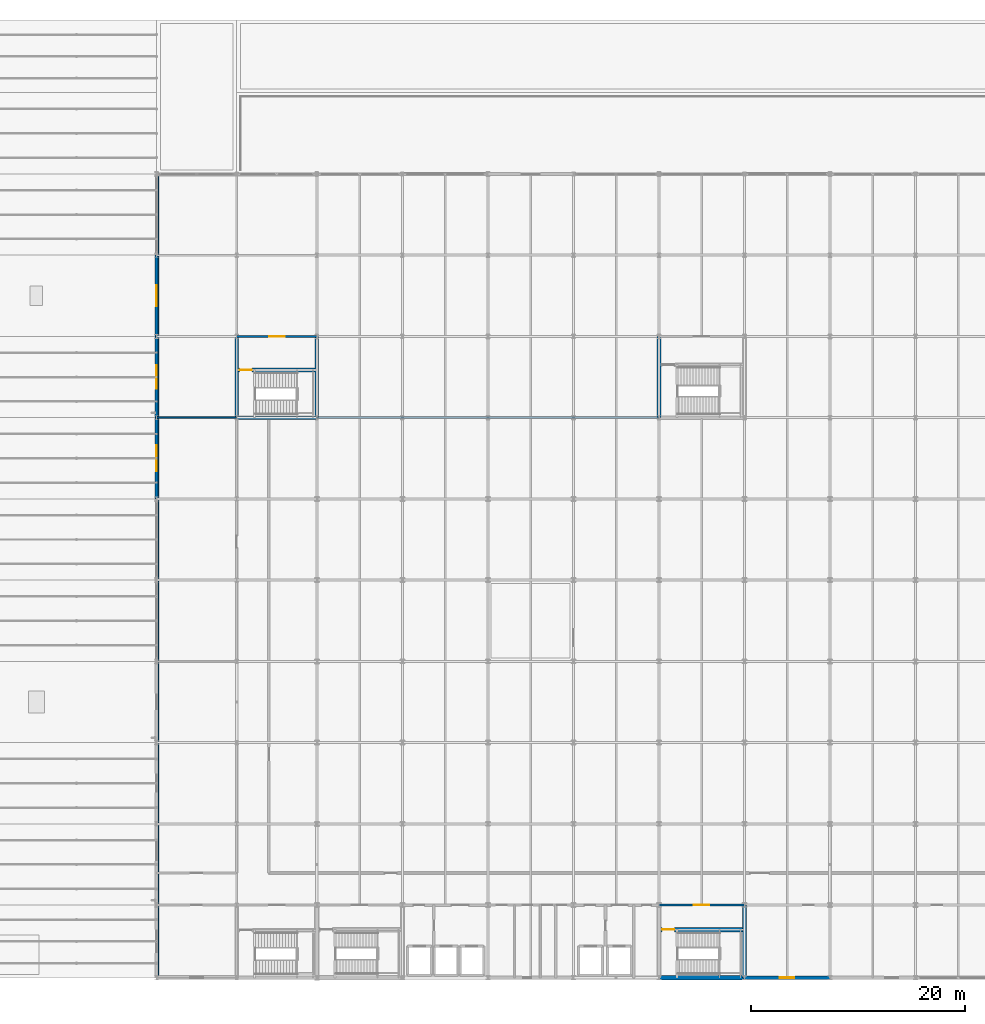
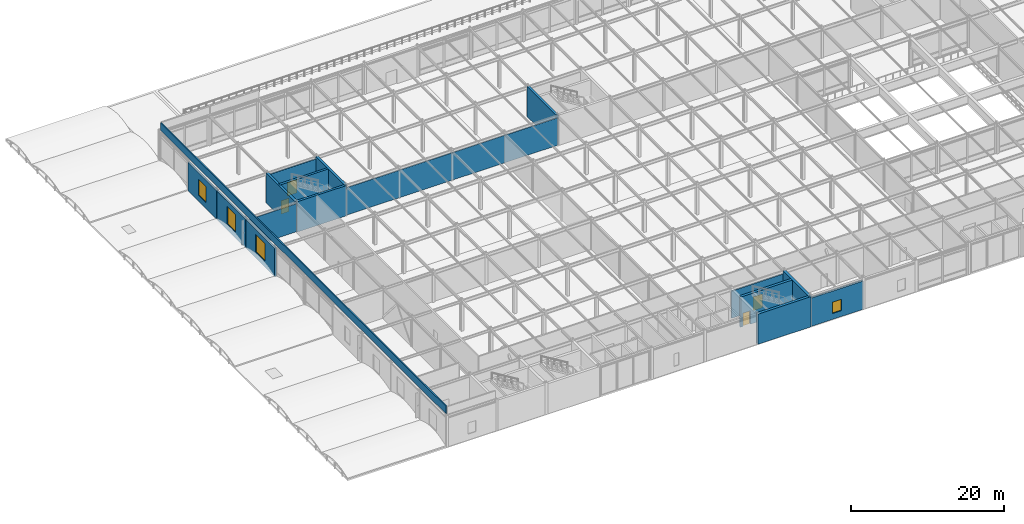
# One storey, part 59 of 79: 17 walls, 4 doors, 4 windows, 8 openings.
"""IFC4 building model written with IfcOpenShell, lengths in metres."""

from ifc_helpers import new_model, si_unit, direction, frame, frame_2d, origin, place, context, subcontext, project, spatial, rectangle, extrude, material, layer, layer_set, type_object, element, fill, save


model = new_model("IFC4")

# Units and contexts
model_context = context("Model", 3, precision=1e-05, world=origin(), true_north=direction((0.0, 1.0)))
body_context = subcontext(model_context, "Body", "Model", "MODEL_VIEW")
ifc_project = project(units=[si_unit("LENGTHUNIT", "METRE"), si_unit("AREAUNIT", "SQUARE_METRE"), si_unit("VOLUMEUNIT", "CUBIC_METRE"), si_unit("PLANEANGLEUNIT", "RADIAN"), si_unit("MASSUNIT", "GRAM", prefix="KILO")], contexts=[model_context])

# Site, building, storey
site_placement = place(None, origin())
site = spatial("IfcSite", under=ifc_project, at=site_placement, CompositionType="ELEMENT")
building_placement = place(site_placement, origin())
building = spatial("IfcBuilding", under=site, at=building_placement, Name="Shalkamar Park Central Library", CompositionType="ELEMENT")
storey_placement = place(building_placement, frame((0.0, 0.0, 10.5)))
storey = spatial("IfcBuildingStorey", under=building, at=storey_placement, Name="L03", CompositionType="ELEMENT", Elevation=10.5)

# Walls
ifc_material_1 = material(Name="Acoustic insulated reading partition", Category="masonry")
ifc_layer_1 = layer(ifc_material_1, 0.139892578125)
ifc_layer_set_1 = layer_set([ifc_layer_1], Name="AcousticPartition_140")
wall_type_1 = type_object("IfcWallType", Name="Acoustic Partition 140", PredefinedType="PARTITIONING", material=ifc_layer_set_1)
wall_1_placement = place(storey_placement, frame((150.0, 300.800048828125, 0.0), z_axis=(0.0, 0.0, 1.0), x_axis=(1.0, 0.0, 0.0)))
element("IfcWall", 1, at=wall_1_placement, inside=storey, type_object=wall_type_1, Name="Interior Partition WL-INT-L03-027-S1", PredefinedType="PARTITIONING", context=body_context, shape_type="SweptSolid", body=[
    extrude(rectangle(XDim=7.5, YDim=0.139892578125, at=frame_2d((3.75, 0.0))), origin(), (0.0, 0.0, 1.0), 4.47802734375),
])
wall_2_placement = place(storey_placement, frame((165.0, 300.800048828125, 0.0), z_axis=(0.0, 0.0, 1.0), x_axis=(1.0, 0.0, 0.0)))
element("IfcWall", 2, at=wall_2_placement, inside=storey, type_object=wall_type_1, Name="Interior Partition WL-INT-L03-027-S2", PredefinedType="PARTITIONING", context=body_context, shape_type="SweptSolid", body=[
    extrude(rectangle(XDim=32.0, YDim=0.139892578125, at=frame_2d((16.0, 0.0))), origin(), (0.0, 0.0, 1.0), 4.387939453125),
])

# Wall, opening, door
ifc_material_2 = material(Name="Fire-rated corridor partition wall", Category="masonry")
ifc_layer_2 = layer(ifc_material_2, 0.199951171875)
ifc_layer_set_2 = layer_set([ifc_layer_2], Name="CorridorFireWall_200")
wall_type_2 = type_object("IfcWallType", Name="Corridor Fire Wall 200", PredefinedType="PARTITIONING", material=ifc_layer_set_2)
wall_3_placement = place(storey_placement, frame((197.0, 255.199951171875, 0.0), z_axis=(0.0, 0.0, 1.0), x_axis=(1.0, 0.0, 0.0)))
wall_3 = element("IfcWall", 3, at=wall_3_placement, inside=storey, type_object=wall_type_2, Name="CORE-T2 Vestibule North Wall (L03)", PredefinedType="PARTITIONING", context=body_context, shape_type="SweptSolid", body=[
    extrude(rectangle(XDim=8.0, YDim=0.199951171875, at=frame_2d((4.0, 0.0))), origin(), (0.0, 0.0, 1.0), 4.337890625),
])
opening_1_placement = place(wall_3_placement, frame((3.27490234375, 0.0, 0.0)))
opening_1 = element("IfcOpeningElement", 4, at=opening_1_placement, cuts=wall_3, Name="Opening DR-ST-T2-L03-VEST", PredefinedType="OPENING", context=body_context, shape_type="SweptSolid", body=[
    extrude(rectangle(XDim=1.449951171875, YDim=2.199951171875, at=frame_2d((0.72509765625, 1.10009765625))), frame((0.0, 0.11474609375, 0.0), z_axis=(0.0, -1.0, 0.0), x_axis=(1.0, 0.0, 0.0)), (0.0, 0.0, 1.0), 0.229736328125),
])
ifc_material_3 = material(Name="Steel S355", Category="steel")
door_type_1 = type_object("IfcDoorType", Name="Stair Vestibule Door 1450x2200", OperationType="DOUBLE_DOOR_SINGLE_SWING", PredefinedType="DOOR", material=ifc_material_3)
door_1_placement = place(opening_1_placement, frame((1.449951171875, 0.0, 0.0), z_axis=(0.0, 0.0, 1.0), x_axis=(-1.0, 0.0, 0.0)))
door_1 = element("IfcDoor", 5, at=door_1_placement, inside=storey, type_object=door_type_1, Name="Protected Stair ST-T2 Vestibule Door (L03)", OperationType="DOUBLE_DOOR_SINGLE_SWING", OverallHeight=2.199951171875, OverallWidth=1.449951171875, PredefinedType="DOOR", context=body_context, shape_type="SweptSolid", body=[
    extrude(rectangle(XDim=1.449951171875, YDim=2.199951171875, at=frame_2d((0.72509765625, 1.10009765625))), frame((0.0, 0.02490234375, 0.0), z_axis=(0.0, -1.0, 0.0), x_axis=(1.0, 0.0, 0.0)), (0.0, 0.0, 1.0), 0.050048828125),
])
fill(opening_1, door_1)

wall_4_placement = place(storey_placement, frame((157.5, 308.39990234375, 0.0), z_axis=(0.0, 0.0, 1.0), x_axis=(1.0, 0.0, 0.0)))
wall_4 = element("IfcWall", 6, at=wall_4_placement, inside=storey, type_object=wall_type_2, Name="CORE-P2 Vestibule North Wall (L03)", PredefinedType="PARTITIONING", context=body_context, shape_type="SweptSolid", body=[
    extrude(rectangle(XDim=7.5, YDim=0.199951171875, at=frame_2d((3.75, 0.0))), origin(), (0.0, 0.0, 1.0), 4.47802734375),
])
opening_2_placement = place(wall_4_placement, frame((3.02490234375, 0.0, 0.0)))
opening_2 = element("IfcOpeningElement", 7, at=opening_2_placement, cuts=wall_4, Name="Opening DR-ST-P2-L03-VEST", PredefinedType="OPENING", context=body_context, shape_type="SweptSolid", body=[
    extrude(rectangle(XDim=1.449951171875, YDim=2.199951171875, at=frame_2d((0.72509765625, 1.10009765625))), frame((0.0, 0.11474609375, 0.0), z_axis=(0.0, -1.0, 0.0), x_axis=(1.0, 0.0, 0.0)), (0.0, 0.0, 1.0), 0.229736328125),
])
door_2_placement = place(opening_2_placement, frame((1.449951171875, 0.0, 0.0), z_axis=(0.0, 0.0, 1.0), x_axis=(-1.0, 0.0, 0.0)))
door_2 = element("IfcDoor", 8, at=door_2_placement, inside=storey, type_object=door_type_1, Name="Protected Stair ST-P2 Vestibule Door (L03)", OperationType="DOUBLE_DOOR_SINGLE_SWING", OverallHeight=2.199951171875, OverallWidth=1.449951171875, PredefinedType="DOOR", context=body_context, shape_type="SweptSolid", body=[
    extrude(rectangle(XDim=1.449951171875, YDim=2.199951171875, at=frame_2d((0.72509765625, 1.10009765625))), frame((0.0, 0.02490234375, 0.0), z_axis=(0.0, -1.0, 0.0), x_axis=(1.0, 0.0, 0.0)), (0.0, 0.0, 1.0), 0.050048828125),
])
fill(opening_2, door_2)

# Walls
ifc_material_4 = material(Name="Concrete C40/50", Category="concrete")
ifc_layer_3 = layer(ifc_material_4, 0.35009765625)
ifc_layer_set_3 = layer_set([ifc_layer_3], Name="Concrete C40/50")
wall_type_3 = type_object("IfcWallType", Name="Podium Core Shear Wall 350", PredefinedType="SHEAR", material=ifc_layer_set_3)
wall_5_placement = place(storey_placement, frame((157.5, 300.800048828125, 0.0), z_axis=(0.0, 0.0, 1.0), x_axis=(1.0, 0.0, 0.0)))
element("IfcWall", 9, at=wall_5_placement, inside=storey, type_object=wall_type_3, Name="CORE-P2 South Shear Wall (L03)", PredefinedType="SHEAR", context=body_context, shape_type="SweptSolid", body=[
    extrude(rectangle(XDim=7.5, YDim=0.35009765625, at=frame_2d((3.75, 0.0))), origin(), (0.0, 0.0, 1.0), 4.840087890625),
])
for number, where, z_axis, x_axis, name in (
    (10, (157.5, 300.800048828125, 0.0), (0.0, 0.0, 1.0), (0.0, 1.0, 0.0), "CORE-P2 West Shear Wall (L03)"),
    (11, (165.0, 300.800048828125, 0.0), (0.0, 0.0, 1.0), (0.0, 1.0, 0.0), "CORE-P2 East Shear Wall (L03)"),
):
    element("IfcWall", number, at=place(storey_placement, frame(where, z_axis=z_axis, x_axis=x_axis)), inside=storey, type_object=wall_type_3, Name=name, PredefinedType="SHEAR", context=body_context, shape_type="SweptSolid", body=[
        extrude(rectangle(XDim=7.599853515625, YDim=0.35009765625, at=frame_2d((3.7998046875, 0.0))), origin(), (0.0, 0.0, 1.0), 4.840087890625),
    ])

# Wall, opening, door
wall_6_placement = place(storey_placement, frame((157.5, 305.25, 0.0), z_axis=(0.0, 0.0, 1.0), x_axis=(1.0, 0.0, 0.0)))
wall_6 = element("IfcWall", 12, at=wall_6_placement, inside=storey, type_object=wall_type_3, Name="CORE-P2 Stairwell Wall (L03)", PredefinedType="SHEAR", context=body_context, shape_type="SweptSolid", body=[
    extrude(rectangle(XDim=7.5, YDim=0.35009765625, at=frame_2d((3.75, 0.0))), origin(), (0.0, 0.0, 1.0), 4.840087890625),
])
opening_3_placement = place(wall_6_placement, frame((0.27490234375, 0.0, 0.0)))
opening_3 = element("IfcOpeningElement", 13, at=opening_3_placement, cuts=wall_6, Name="Opening DR-ST-P2-L03-IN", PredefinedType="OPENING", context=body_context, shape_type="SweptSolid", body=[
    extrude(rectangle(XDim=1.14990234375, YDim=2.14990234375, at=frame_2d((0.574951171875, 1.074951171875))), frame((0.0, 0.18994140625, 0.0), z_axis=(0.0, -1.0, 0.0), x_axis=(1.0, 0.0, 0.0)), (0.0, 0.0, 1.0), 0.3798828125),
])
door_type_2 = type_object("IfcDoorType", Name="Stair Core Exit Door 1150x2150", OperationType="NOTDEFINED", PredefinedType="DOOR", material=ifc_material_3)
door_3_placement = place(opening_3_placement, frame((1.14990234375, 0.0, 0.0), z_axis=(0.0, 0.0, 1.0), x_axis=(-1.0, 0.0, 0.0)))
door_3 = element("IfcDoor", 14, at=door_3_placement, inside=storey, type_object=door_type_2, Name="Protected Stair ST-P2 Exit Door (L03)", OperationType="SINGLE_SWING_RIGHT", OverallHeight=2.14990234375, OverallWidth=1.14990234375, PredefinedType="DOOR", context=body_context, shape_type="SweptSolid", body=[
    extrude(rectangle(XDim=1.14990234375, YDim=2.14990234375, at=frame_2d((0.574951171875, 1.074951171875))), frame((0.0, 0.02490234375, 0.0), z_axis=(0.0, -1.0, 0.0), x_axis=(1.0, 0.0, 0.0)), (0.0, 0.0, 1.0), 0.050048828125),
])
fill(opening_3, door_3)

# Walls
wall_7_placement = place(storey_placement, frame((197.0, 300.800048828125, 0.0), z_axis=(0.0, 0.0, 1.0), x_axis=(0.0, 1.0, 0.0)))
element("IfcWall", 15, at=wall_7_placement, inside=storey, type_object=wall_type_3, Name="CORE-P7 West Shear Wall (L03)", PredefinedType="SHEAR", context=body_context, shape_type="SweptSolid", body=[
    extrude(rectangle(XDim=7.599853515625, YDim=0.35009765625, at=frame_2d((3.7998046875, 0.0))), origin(), (0.0, 0.0, 1.0), 4.840087890625),
])
ifc_material_5 = material(Name="Concrete C35/45 precast", Category="concrete")
ifc_layer_4 = layer(ifc_material_5, 0.179931640625)
ifc_layer_set_4 = layer_set([ifc_layer_4], Name="Concrete C35/45 precast")
wall_type_4 = type_object("IfcWallType", Name="Roof Parapet Wall 180", PredefinedType="PARAPET", material=ifc_layer_set_4)
wall_8_placement = place(storey_placement, frame((150.10009765625, 248.60009765625, 5.10009765625), z_axis=(0.0, 0.0, 1.0), x_axis=(0.0, 1.0, 0.0)))
element("IfcWall", 16, at=wall_8_placement, inside=storey, type_object=wall_type_4, Name="Roof Parapet Wall L03-20", PredefinedType="PARAPET", context=body_context, shape_type="SweptSolid", body=[
    extrude(rectangle(XDim=74.7998046875, YDim=0.179931640625, at=frame_2d((37.39990234375, 0.0))), origin(), (0.0, 0.0, 1.0), 1.199951171875),
])
ifc_layer_5 = layer(ifc_material_4, 0.39990234375)
ifc_layer_set_5 = layer_set([ifc_layer_5], Name="Concrete C40/50")
wall_type_5 = type_object("IfcWallType", Name="Tower Core Shear Wall 400", PredefinedType="SHEAR", material=ifc_layer_set_5)
wall_9_placement = place(storey_placement, frame((197.0, 248.39990234375, 0.0), z_axis=(0.0, 0.0, 1.0), x_axis=(1.0, 0.0, 0.0)))
element("IfcWall", 17, at=wall_9_placement, inside=storey, type_object=wall_type_5, Name="CORE-T2 South Shear Wall (L03)", PredefinedType="SHEAR", context=body_context, shape_type="SweptSolid", body=[
    extrude(rectangle(XDim=8.0, YDim=0.39990234375, at=frame_2d((4.0, 0.0))), origin(), (0.0, 0.0, 1.0), 4.840087890625),
])
wall_10_placement = place(storey_placement, frame((205.0, 248.39990234375, 0.0), z_axis=(0.0, 0.0, 1.0), x_axis=(0.0, 1.0, 0.0)))
element("IfcWall", 18, at=wall_10_placement, inside=storey, type_object=wall_type_5, Name="CORE-T2 East Shear Wall (L03)", PredefinedType="SHEAR", context=body_context, shape_type="SweptSolid", body=[
    extrude(rectangle(XDim=6.800048828125, YDim=0.39990234375, at=frame_2d((3.39990234375, 0.0))), origin(), (0.0, 0.0, 1.0), 4.840087890625),
])

# Wall, opening, door
wall_11_placement = place(storey_placement, frame((197.0, 252.89990234375, 0.0), z_axis=(0.0, 0.0, 1.0), x_axis=(1.0, 0.0, 0.0)))
wall_11 = element("IfcWall", 19, at=wall_11_placement, inside=storey, type_object=wall_type_5, Name="CORE-T2 Stairwell Wall (L03)", PredefinedType="SHEAR", context=body_context, shape_type="SweptSolid", body=[
    extrude(rectangle(XDim=8.0, YDim=0.39990234375, at=frame_2d((4.0, 0.0))), origin(), (0.0, 0.0, 1.0), 4.840087890625),
])
opening_4_placement = place(wall_11_placement, frame((0.300048828125, 0.0, 0.0)))
opening_4 = element("IfcOpeningElement", 20, at=opening_4_placement, cuts=wall_11, Name="Opening DR-ST-T2-L03-IN", PredefinedType="OPENING", context=body_context, shape_type="SweptSolid", body=[
    extrude(rectangle(XDim=1.14990234375, YDim=2.14990234375, at=frame_2d((0.574951171875, 1.074951171875))), frame((0.0, 0.21484375, 0.0), z_axis=(0.0, -1.0, 0.0), x_axis=(1.0, 0.0, 0.0)), (0.0, 0.0, 1.0), 0.4296875),
])
door_4_placement = place(opening_4_placement, frame((1.14990234375, 0.0, 0.0), z_axis=(0.0, 0.0, 1.0), x_axis=(-1.0, 0.0, 0.0)))
door_4 = element("IfcDoor", 21, at=door_4_placement, inside=storey, type_object=door_type_2, Name="Protected Stair ST-T2 Exit Door (L03)", OperationType="SINGLE_SWING_RIGHT", OverallHeight=2.14990234375, OverallWidth=1.14990234375, PredefinedType="DOOR", context=body_context, shape_type="SweptSolid", body=[
    extrude(rectangle(XDim=1.14990234375, YDim=2.14990234375, at=frame_2d((0.574951171875, 1.074951171875))), frame((0.0, 0.02490234375, 0.0), z_axis=(0.0, -1.0, 0.0), x_axis=(1.0, 0.0, 0.0)), (0.0, 0.0, 1.0), 0.050048828125),
])
fill(opening_4, door_4)

# Wall, opening, window
ifc_material_6 = material(Name="Travertine insulated rainscreen", Category="masonry")
ifc_layer_6 = layer(ifc_material_6, 0.2900390625)
ifc_layer_set_6 = layer_set([ifc_layer_6], Name="TravertineTerracottaWall_290")
wall_type_6 = type_object("IfcWallType", Name="Travertine Terracotta Wall 290", PredefinedType="SOLIDWALL", material=ifc_layer_set_6)
wall_12_placement = place(storey_placement, frame((205.006103515625, 248.39990234375, 0.0), z_axis=(0.0, 0.0, 1.0), x_axis=(1.0, 0.0, 0.0)))
wall_12 = element("IfcWall", 22, at=wall_12_placement, inside=storey, type_object=wall_type_6, Name="Exterior Facade Wall WL-EXT-L03-087", PredefinedType="SOLIDWALL", context=body_context, shape_type="SweptSolid", body=[
    extrude(rectangle(XDim=7.98779296875, YDim=0.2900390625, at=frame_2d((3.993896484375, 0.0))), origin(), (0.0, 0.0, 1.0), 4.528076171875),
])
opening_5_placement = place(wall_12_placement, frame((3.319091796875, 0.0, 0.949951171875)))
opening_5 = element("IfcOpeningElement", 23, at=opening_5_placement, cuts=wall_12, Name="Opening WN-15", PredefinedType="OPENING", context=body_context, shape_type="SweptSolid", body=[
    extrude(rectangle(XDim=1.35009765625, YDim=1.800048828125, at=frame_2d((0.675048828125, 0.89990234375))), frame((0.0, 0.159912109375, 0.0), z_axis=(0.0, -1.0, 0.0), x_axis=(1.0, 0.0, 0.0)), (0.0, 0.0, 1.0), 0.31982421875),
])
ifc_material_7 = material(Name="Thermally broken aluminium and triple low-e glass", Category="glass")
window_type_1 = type_object("IfcWindowType", Name="Tower Window 1350x1800", PartitioningType="SINGLE_PANEL", PredefinedType="WINDOW", material=ifc_material_7)
window_1_placement = place(opening_5_placement, origin())
window_1 = element("IfcWindow", 24, at=window_1_placement, inside=storey, type_object=window_type_1, Name="Facade Window WN-L03-051", OverallHeight=1.800048828125, OverallWidth=1.35009765625, PartitioningType="SINGLE_PANEL", PredefinedType="WINDOW", context=body_context, shape_type="SweptSolid", body=[
    extrude(rectangle(XDim=1.35009765625, YDim=1.800048828125, at=frame_2d((0.675048828125, 0.89990234375))), frame((0.0, 0.030029296875, 0.0), z_axis=(0.0, -1.0, 0.0), x_axis=(1.0, 0.0, 0.0)), (0.0, 0.0, 1.0), 0.06005859375),
])
fill(opening_5, window_1)

wall_13_placement = place(storey_placement, frame((150.0, 293.2060546875, 0.0), z_axis=(0.0, 0.0, 1.0), x_axis=(0.0, 1.0, 0.0)))
wall_13 = element("IfcWall", 25, at=wall_13_placement, inside=storey, type_object=wall_type_6, Name="Exterior Facade Wall WL-EXT-L03-098", PredefinedType="SOLIDWALL", context=body_context, shape_type="SweptSolid", body=[
    extrude(rectangle(XDim=7.587890625, YDim=0.2900390625, at=frame_2d((3.7939453125, 0.0))), origin(), (0.0, 0.0, 1.0), 4.577880859375),
])
opening_6_placement = place(wall_13_placement, frame((2.593994140625, 0.0, 0.949951171875)))
opening_6 = element("IfcOpeningElement", 26, at=opening_6_placement, cuts=wall_13, Name="Opening WN-03", PredefinedType="OPENING", context=body_context, shape_type="SweptSolid", body=[
    extrude(rectangle(XDim=2.39990234375, YDim=2.800048828125, at=frame_2d((1.199951171875, 1.39990234375))), frame((0.0, 0.159912109375, 0.0), z_axis=(0.0, -1.0, 0.0), x_axis=(1.0, 0.0, 0.0)), (0.0, 0.0, 1.0), 0.31982421875),
])
window_type_2 = type_object("IfcWindowType", Name="Podium Window 2400x2800", PartitioningType="DOUBLE_PANEL_VERTICAL", PredefinedType="WINDOW", material=ifc_material_7)
window_2_placement = place(opening_6_placement, origin())
window_2 = element("IfcWindow", 27, at=window_2_placement, inside=storey, type_object=window_type_2, Name="Facade Window WN-L03-060", OverallHeight=2.800048828125, OverallWidth=2.39990234375, PartitioningType="DOUBLE_PANEL_VERTICAL", PredefinedType="WINDOW", context=body_context, shape_type="SweptSolid", body=[
    extrude(rectangle(XDim=2.39990234375, YDim=2.800048828125, at=frame_2d((1.199951171875, 1.39990234375))), frame((0.0, 0.030029296875, 0.0), z_axis=(0.0, -1.0, 0.0), x_axis=(1.0, 0.0, 0.0)), (0.0, 0.0, 1.0), 0.06005859375),
])
fill(opening_6, window_2)

wall_14_placement = place(storey_placement, frame((150.0, 300.805908203125, 0.0), z_axis=(0.0, 0.0, 1.0), x_axis=(0.0, 1.0, 0.0)))
wall_14 = element("IfcWall", 28, at=wall_14_placement, inside=storey, type_object=wall_type_6, Name="Exterior Facade Wall WL-EXT-L03-099", PredefinedType="SOLIDWALL", context=body_context, shape_type="SweptSolid", body=[
    extrude(rectangle(XDim=7.588134765625, YDim=0.2900390625, at=frame_2d((3.7939453125, 0.0))), origin(), (0.0, 0.0, 1.0), 4.577880859375),
])
opening_7_placement = place(wall_14_placement, frame((2.694091796875, 0.0, 0.949951171875)))
opening_7 = element("IfcOpeningElement", 29, at=opening_7_placement, cuts=wall_14, Name="Opening WN-04", PredefinedType="OPENING", context=body_context, shape_type="SweptSolid", body=[
    extrude(rectangle(XDim=2.199951171875, YDim=2.800048828125, at=frame_2d((1.10009765625, 1.39990234375))), frame((0.0, 0.159912109375, 0.0), z_axis=(0.0, -1.0, 0.0), x_axis=(1.0, 0.0, 0.0)), (0.0, 0.0, 1.0), 0.31982421875),
])
window_type_3 = type_object("IfcWindowType", Name="Podium Window 2200x2800", PartitioningType="DOUBLE_PANEL_VERTICAL", PredefinedType="WINDOW", material=ifc_material_7)
window_3_placement = place(opening_7_placement, origin())
window_3 = element("IfcWindow", 30, at=window_3_placement, inside=storey, type_object=window_type_3, Name="Facade Window WN-L03-061", OverallHeight=2.800048828125, OverallWidth=2.199951171875, PartitioningType="DOUBLE_PANEL_VERTICAL", PredefinedType="WINDOW", context=body_context, shape_type="SweptSolid", body=[
    extrude(rectangle(XDim=2.199951171875, YDim=2.800048828125, at=frame_2d((1.10009765625, 1.39990234375))), frame((0.0, 0.030029296875, 0.0), z_axis=(0.0, -1.0, 0.0), x_axis=(1.0, 0.0, 0.0)), (0.0, 0.0, 1.0), 0.06005859375),
])
fill(opening_7, window_3)

wall_15_placement = place(storey_placement, frame((150.0, 308.406005859375, 0.0), z_axis=(0.0, 0.0, 1.0), x_axis=(0.0, 1.0, 0.0)))
wall_15 = element("IfcWall", 31, at=wall_15_placement, inside=storey, type_object=wall_type_6, Name="Exterior Facade Wall WL-EXT-L03-100", PredefinedType="SOLIDWALL", context=body_context, shape_type="SweptSolid", body=[
    extrude(rectangle(XDim=7.587890625, YDim=0.2900390625, at=frame_2d((3.7939453125, 0.0))), origin(), (0.0, 0.0, 1.0), 4.577880859375),
])
opening_8_placement = place(wall_15_placement, frame((2.7939453125, 0.0, 0.949951171875)))
opening_8 = element("IfcOpeningElement", 32, at=opening_8_placement, cuts=wall_15, Name="Opening WN-05", PredefinedType="OPENING", context=body_context, shape_type="SweptSolid", body=[
    extrude(rectangle(XDim=2.0, YDim=2.60009765625, at=frame_2d((1.0, 1.300048828125))), frame((0.0, 0.159912109375, 0.0), z_axis=(0.0, -1.0, 0.0), x_axis=(1.0, 0.0, 0.0)), (0.0, 0.0, 1.0), 0.31982421875),
])
window_type_4 = type_object("IfcWindowType", Name="Podium Window 2000x2600", PartitioningType="DOUBLE_PANEL_VERTICAL", PredefinedType="WINDOW", material=ifc_material_7)
window_4_placement = place(opening_8_placement, origin())
window_4 = element("IfcWindow", 33, at=window_4_placement, inside=storey, type_object=window_type_4, Name="Facade Window WN-L03-062", OverallHeight=2.60009765625, OverallWidth=2.0, PartitioningType="DOUBLE_PANEL_VERTICAL", PredefinedType="WINDOW", context=body_context, shape_type="SweptSolid", body=[
    extrude(rectangle(XDim=2.0, YDim=2.60009765625, at=frame_2d((1.0, 1.300048828125))), frame((0.0, 0.030029296875, 0.0), z_axis=(0.0, -1.0, 0.0), x_axis=(1.0, 0.0, 0.0)), (0.0, 0.0, 1.0), 0.06005859375),
])
fill(opening_8, window_4)

save(model, "model.ifc")
